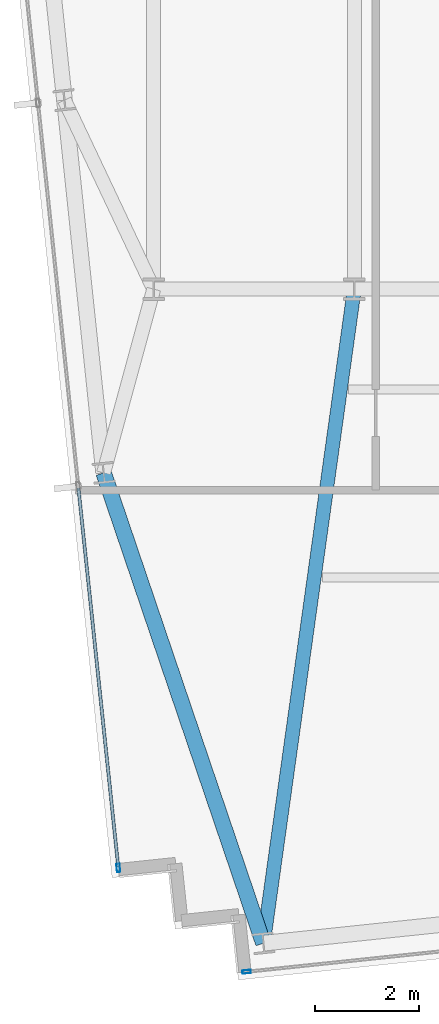
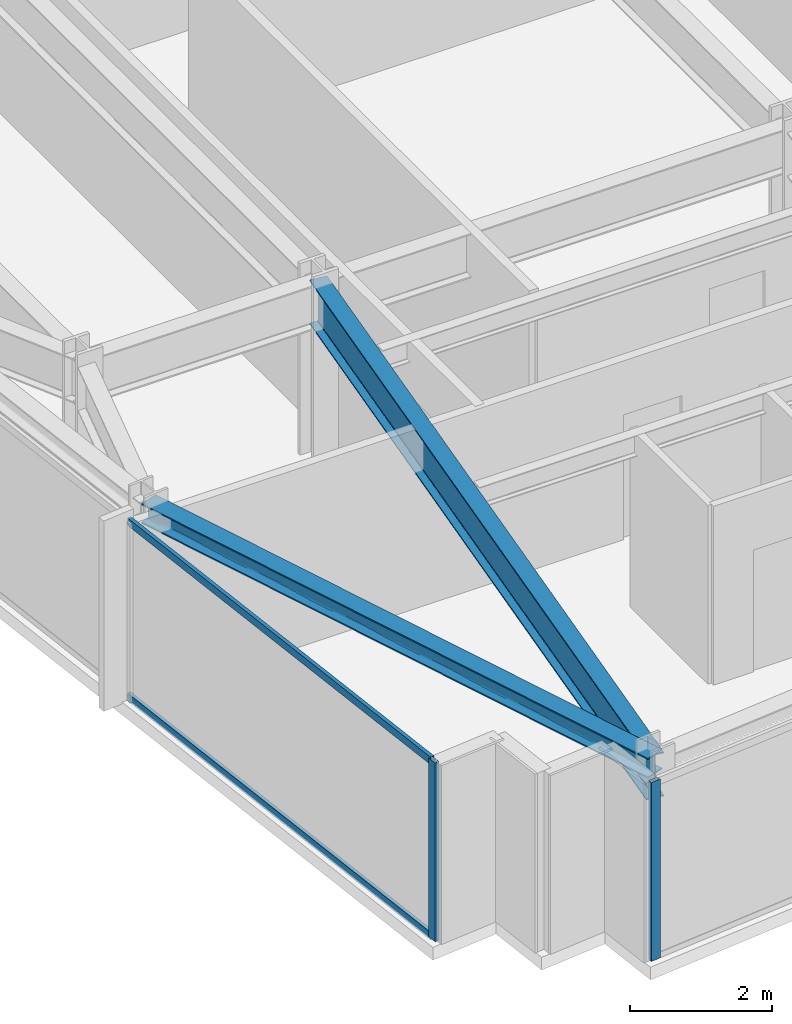
# One storey, part 2 of 33: 4 members, 2 beams, 2 elements without a shape of their own.
"""IFC4 building model written with IfcOpenShell, lengths in metres."""

from ifc_helpers import new_model, si_unit, direction, frame, origin, origin_2d, place, context, subcontext, project, spatial, hollow_rectangle, i_section, extrude, material, material_profile, profile_set, type_object, element, aggregate, save


model = new_model("IFC4")

# Units and contexts
model_context = context("Model", 3, precision=1e-05, world=origin(), true_north=direction((0.0, 1.0)))
body_context = subcontext(model_context, "Body", "Model", "MODEL_VIEW")
ifc_project = project(units=[si_unit("LENGTHUNIT", "METRE"), si_unit("AREAUNIT", "SQUARE_METRE"), si_unit("VOLUMEUNIT", "CUBIC_METRE"), si_unit("PLANEANGLEUNIT", "RADIAN"), si_unit("MASSUNIT", "GRAM", prefix="KILO")], contexts=[model_context])

# Site, building, storey
site_placement = place(None, origin())
site = spatial("IfcSite", under=ifc_project, at=site_placement, CompositionType="ELEMENT")
building_placement = place(site_placement, origin())
building = spatial("IfcBuilding", under=site, at=building_placement, Name="Yelkora Congress Tower", CompositionType="ELEMENT")
storey_placement = place(building_placement, frame((0.0, 0.0, 234.199951171875)))
storey = spatial("IfcBuildingStorey", under=building, at=storey_placement, Name="L65", CompositionType="ELEMENT", Elevation=234.199951171875)

# Beams
ifc_material_1 = material(Name="Steel S355J2", Category="steel")
ifc_material_profile_1 = material_profile(ifc_material_1, i_section(OverallWidth=0.26708984375, OverallDepth=0.761962890625, WebThickness=0.014404296875, FlangeThickness=0.021484375, FilletRadius=0.01708984375, at=origin_2d()), Name="IPE 750x173")
ifc_profile_set_1 = profile_set([ifc_material_profile_1], Name="Steel S355J2")
beam_type_1 = type_object("IfcBeamType", Name="BM-GIRD-IPE750", PredefinedType="BEAM", material=ifc_profile_set_1)
beam_1_placement = place(storey_placement, frame((21.299072265625, 12.678466796875, 2.698974609375), z_axis=(0.137713626184, 0.990472088028, 0.0), x_axis=(-0.990472088028, 0.137713626184, 0.0)))
element("IfcBeam", 1, at=beam_1_placement, inside=storey, type_object=beam_type_1, Name="L65 Primary Frame Girder S01", PredefinedType="BEAM", context=body_context, shape_type="SweptSolid", body=[
    extrude(i_section(OverallWidth=0.26708984375, OverallDepth=0.761962890625, WebThickness=0.014404296875, FlangeThickness=0.021484375, FilletRadius=0.01708984375, at=origin_2d()), origin(), (0.0, 0.0, 1.0), 12.641845703125),
])
ifc_material_profile_2 = material_profile(ifc_material_1, i_section(OverallWidth=0.300048828125, OverallDepth=0.340087890625, WebThickness=0.011962890625, FlangeThickness=0.021484375, FilletRadius=0.027099609375, at=origin_2d()), Name="HEB 340")
ifc_profile_set_2 = profile_set([ifc_material_profile_2], Name="Steel S355J2")
beam_type_2 = type_object("IfcBeamType", Name="BM-SPAN-HEB340", PredefinedType="SPANDREL", material=ifc_profile_set_2)
beam_2_placement = place(storey_placement, frame((18.2412109375, 21.68310546875, 2.91015625), z_axis=(0.321552459514, -0.94689176561, 0.0), x_axis=(0.94689176561, 0.321552459514, 0.0)))
element("IfcBeam", 2, at=beam_2_placement, inside=storey, type_object=beam_type_2, Name="L65 Perimeter Beam 2", PredefinedType="SPANDREL", context=body_context, shape_type="SweptSolid", body=[
    extrude(i_section(OverallWidth=0.300048828125, OverallDepth=0.340087890625, WebThickness=0.011962890625, FlangeThickness=0.021484375, FilletRadius=0.027099609375, at=origin_2d()), origin(), (0.0, 0.0, 1.0), 9.509765625),
])

# Curtain wall, member
ifc_material_2 = material(Name="Anodised aluminium and insulated glass", Category="aluminium")
curtain_wall_type = type_object("IfcCurtainWallType", Name="CW-SYS-B4", PredefinedType="NOTDEFINED", material=ifc_material_2)
curtain_wall_1_placement = place(storey_placement, origin())
curtain_wall_1 = element("IfcCurtainWall", 3, at=curtain_wall_1_placement, inside=storey, type_object=curtain_wall_type, Name="L65 Unitised Curtain Wall 5", PredefinedType="NOTDEFINED")
ifc_material_3 = material(Name="Anodised aluminium 6063-T6", Category="aluminium")
ifc_material_profile_3 = material_profile(ifc_material_3, hollow_rectangle(XDim=0.06494140625, YDim=0.159912109375, WallThickness=0.00390625, at=origin_2d()), Name="ALU 65x160x4")
ifc_profile_set_3 = profile_set([ifc_material_profile_3], Name="Anodised aluminium 6063-T6")
member_type_1 = type_object("IfcMemberType", Name="MEM-ML-B4", PredefinedType="MULLION", material=ifc_profile_set_3)
member_1_placement = place(storey_placement, frame((18.523193359375, 14.118896484375, 0.0), z_axis=(0.0, 0.0, 1.0), x_axis=(-0.994522145958, -0.104526079034, 0.0)))
member_1 = element("IfcMember", 4, at=member_1_placement, type_object=member_type_1, Name="CW-B4 mullion 1", PredefinedType="MULLION", context=body_context, shape_type="SweptSolid", body=[
    extrude(hollow_rectangle(XDim=0.06494140625, YDim=0.159912109375, WallThickness=0.00390625, at=origin_2d()), origin(), (0.0, 0.0, 1.0), 3.080078125),
])

curtain_wall_2_placement = place(storey_placement, origin())
curtain_wall_2 = element("IfcCurtainWall", 5, at=curtain_wall_2_placement, inside=storey, type_object=curtain_wall_type, Name="L65 Unitised Curtain Wall 20", PredefinedType="NOTDEFINED")
member_2_placement = place(storey_placement, frame((20.976806640625, 12.1318359375, 0.0), z_axis=(0.0, 0.0, 1.0), x_axis=(0.104526664994, -0.994522084373, 0.0)))
member_2 = element("IfcMember", 6, at=member_2_placement, type_object=member_type_1, Name="CW-B4 mullion 8", PredefinedType="MULLION", context=body_context, shape_type="SweptSolid", body=[
    extrude(hollow_rectangle(XDim=0.06494140625, YDim=0.159912109375, WallThickness=0.00390625, at=origin_2d()), origin(), (0.0, 0.0, 1.0), 3.080078125),
])
aggregate(curtain_wall_2, [member_2])

# Member
ifc_material_profile_4 = material_profile(ifc_material_3, hollow_rectangle(XDim=0.06005859375, YDim=0.1298828125, WallThickness=0.00390625, at=origin_2d()), Name="ALU 60x130x4")
ifc_profile_set_4 = profile_set([ifc_material_profile_4], Name="Anodised aluminium 6063-T6")
member_type_2 = type_object("IfcMemberType", Name="MEM-TR-B4", PredefinedType="USERDEFINED", material=ifc_profile_set_4)
member_3_placement = place(storey_placement, frame((18.52001953125, 14.151123046875, 0.030029296875), z_axis=(-0.104527725728, 0.994521972886, 0.0), x_axis=(-0.994521972886, -0.104527725728, 0.0)))
member_3 = element("IfcMember", 7, at=member_3_placement, type_object=member_type_2, Name="CW-B4 transom 1.1", ObjectType="TRANSOM", PredefinedType="USERDEFINED", context=body_context, shape_type="SweptSolid", body=[
    extrude(hollow_rectangle(XDim=0.06005859375, YDim=0.1298828125, WallThickness=0.00390625, at=origin_2d()), origin(), (0.0, 0.0, 1.0), 7.282470703125),
])

member_4_placement = place(storey_placement, frame((18.52001953125, 14.151123046875, 3.050048828125), z_axis=(-0.104527725728, 0.994521972886, 0.0), x_axis=(-0.994521972886, -0.104527725728, 0.0)))
member_4 = element("IfcMember", 8, at=member_4_placement, type_object=member_type_2, Name="CW-B4 transom 1.2", ObjectType="TRANSOM", PredefinedType="USERDEFINED", context=body_context, shape_type="SweptSolid", body=[
    extrude(hollow_rectangle(XDim=0.06005859375, YDim=0.1298828125, WallThickness=0.00390625, at=origin_2d()), origin(), (0.0, 0.0, 1.0), 7.282470703125),
])

aggregate(curtain_wall_1, [member_1, member_3, member_4])

save(model, "model.ifc")
